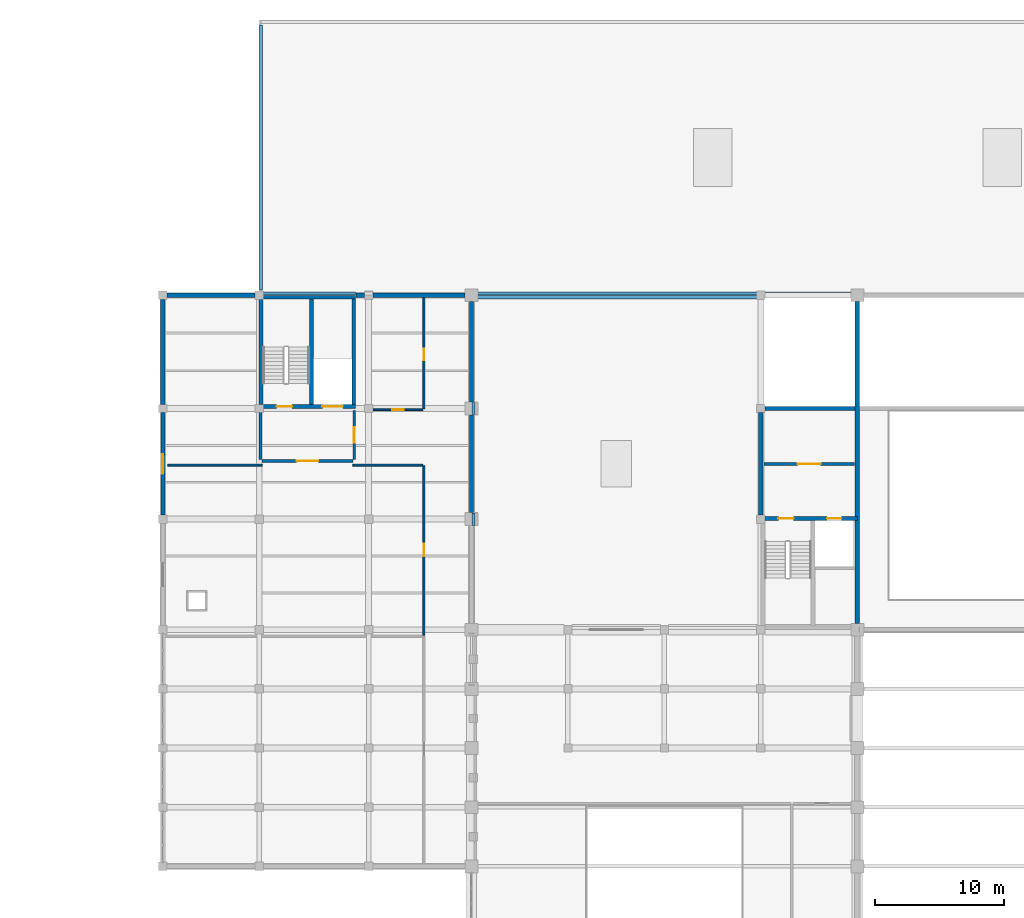
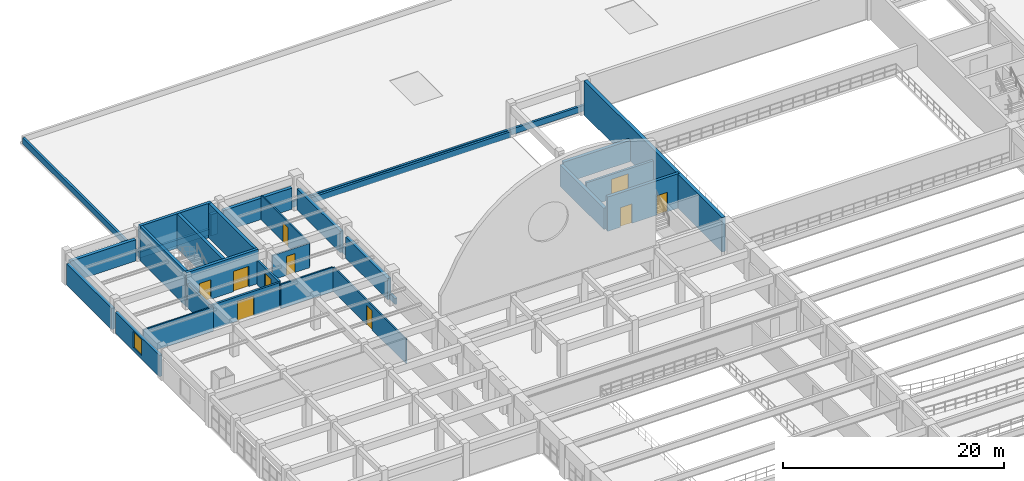
# One storey, part 59 of 74: 31 walls, 10 doors, 1 window, 11 openings.
"""IFC4 building model written with IfcOpenShell, lengths in metres."""

from ifc_helpers import new_model, si_unit, direction, frame, frame_2d, origin, place, context, subcontext, project, spatial, rectangle, extrude, material, layer, layer_set, type_object, element, fill, save


model = new_model("IFC4")

# Units and contexts
model_context = context("Model", 3, precision=1e-05, world=origin(), true_north=direction((0.0, 1.0)))
body_context = subcontext(model_context, "Body", "Model", "MODEL_VIEW")
ifc_project = project(units=[si_unit("LENGTHUNIT", "METRE"), si_unit("AREAUNIT", "SQUARE_METRE"), si_unit("VOLUMEUNIT", "CUBIC_METRE"), si_unit("PLANEANGLEUNIT", "RADIAN"), si_unit("MASSUNIT", "GRAM", prefix="KILO")], contexts=[model_context])

# Site, building, storey
site_placement = place(None, origin())
site = spatial("IfcSite", under=ifc_project, at=site_placement, CompositionType="ELEMENT")
building_placement = place(site_placement, origin())
building = spatial("IfcBuilding", under=site, at=building_placement, Name="Muzn Square Opera House", CompositionType="ELEMENT")
storey_placement = place(building_placement, frame((0.0, 0.0, 14.199951171875)))
storey = spatial("IfcBuildingStorey", under=building, at=storey_placement, Name="L03", CompositionType="ELEMENT", Elevation=14.199951171875)

# Walls
ifc_material_1 = material(Name="Concrete C45/55", Category="concrete")
ifc_layer_1 = layer(ifc_material_1, 0.300048828125, Name="Concrete C45/55", Category="concrete")
ifc_layer_set_1 = layer_set([ifc_layer_1], Name="Concrete C45/55")
wall_type_1 = type_object("IfcWallType", Name="Core Shear Wall 300mm", PredefinedType="SHEAR", material=ifc_layer_set_1)
wall_1_placement = place(storey_placement, frame((26.5, 98.449951171875, 0.0), z_axis=(0.0, 0.0, 1.0), x_axis=(1.0, 0.0, 0.0)))
element("IfcWall", 1, at=wall_1_placement, inside=storey, type_object=wall_type_1, Name="Core C6 Shear Wall SW-C6-L03-N", PredefinedType="SHEAR", context=body_context, shape_type="SweptSolid", body=[
    extrude(rectangle(XDim=7.5, YDim=0.300048828125, at=frame_2d((3.75, 0.0))), origin(), (0.0, 0.0, 1.0), 3.800048828125),
])
for number, where, z_axis, x_axis, name in (
    (2, (26.64990234375, 90.10009765625, 0.0), (0.0, 0.0, 1.0), (0.0, 1.0, 0.0), "Core C6 Shear Wall SW-C6-L03-W"),
    (3, (33.85009765625, 90.10009765625, 0.0), (0.0, 0.0, 1.0), (0.0, 1.0, 0.0), "Core C6 Shear Wall SW-C6-L03-E"),
    (4, (30.550048828125, 90.10009765625, 0.0), (0.0, 0.0, 1.0), (0.0, 1.0, 0.0), "Core C6 Shear Wall SW-C6-L03-DIV"),
):
    element("IfcWall", number, at=place(storey_placement, frame(where, z_axis=z_axis, x_axis=x_axis)), inside=storey, type_object=wall_type_1, Name=name, PredefinedType="SHEAR", context=body_context, shape_type="SweptSolid", body=[
        extrude(rectangle(XDim=8.199951171875, YDim=0.300048828125, at=frame_2d((4.10009765625, 0.0))), origin(), (0.0, 0.0, 1.0), 3.800048828125),
    ])

# Wall, openings, doors
wall_2_placement = place(storey_placement, frame((65.5, 81.25, 0.0), z_axis=(0.0, 0.0, 1.0), x_axis=(1.0, 0.0, 0.0)))
wall_2 = element("IfcWall", 5, at=wall_2_placement, inside=storey, type_object=wall_type_1, Name="Core C1 Front Shear Wall L03", PredefinedType="SHEAR", context=body_context, shape_type="SweptSolid", body=[
    extrude(rectangle(XDim=7.5, YDim=0.300048828125, at=frame_2d((3.75, 0.0))), origin(), (0.0, 0.0, 1.0), 3.800048828125),
])
opening_1_placement = place(wall_2_placement, frame((1.35009765625, 0.0, 0.0)))
opening_1 = element("IfcOpeningElement", 6, at=opening_1_placement, cuts=wall_2, Name="Opening DR-ST12", PredefinedType="OPENING", context=body_context, shape_type="SweptSolid", body=[
    extrude(rectangle(XDim=1.199951171875, YDim=2.14990234375, at=frame_2d((0.60009765625, 1.074951171875))), frame((0.0, 0.159912109375, 0.0), z_axis=(0.0, -1.0, 0.0), x_axis=(1.0, 0.0, 0.0)), (0.0, 0.0, 1.0), 0.320068359375),
])
opening_2_placement = place(wall_2_placement, frame((5.14990234375, 0.0, 0.0)))
opening_2 = element("IfcOpeningElement", 7, at=opening_2_placement, cuts=wall_2, Name="Opening LD-01", PredefinedType="OPENING", context=body_context, shape_type="SweptSolid", body=[
    extrude(rectangle(XDim=1.10009765625, YDim=2.14990234375, at=frame_2d((0.550048828125, 1.074951171875))), frame((0.0, 0.159912109375, 0.0), z_axis=(0.0, -1.0, 0.0), x_axis=(1.0, 0.0, 0.0)), (0.0, 0.0, 1.0), 0.320068359375),
])
ifc_material_2 = material(Name="Galvanised painted steel leaf", Category="metal")
door_type_1 = type_object("IfcDoorType", Name="Core Stair Fire Door 1200x2150", OperationType="NOTDEFINED", PredefinedType="DOOR", material=ifc_material_2)
door_1_placement = place(opening_1_placement, origin())
door_1 = element("IfcDoor", 8, at=door_1_placement, inside=storey, type_object=door_type_1, Name="Core C1 Stair Door L03", OperationType="SINGLE_SWING_LEFT", OverallHeight=2.14990234375, OverallWidth=1.199951171875, PredefinedType="DOOR", context=body_context, shape_type="SweptSolid", body=[
    extrude(rectangle(XDim=1.199951171875, YDim=2.14990234375, at=frame_2d((0.60009765625, 1.074951171875))), frame((0.0, 0.02490234375, 0.0), z_axis=(0.0, -1.0, 0.0), x_axis=(1.0, 0.0, 0.0)), (0.0, 0.0, 1.0), 0.050048828125),
])
fill(opening_1, door_1)
ifc_material_3 = material(Name="Brushed stainless steel", Category="metal")
door_type_2 = type_object("IfcDoorType", Name="Lift Landing Sliding Door 1100x2150", OperationType="SLIDING_TO_LEFT", PredefinedType="DOOR", material=ifc_material_3)
door_2_placement = place(opening_2_placement, origin())
door_2 = element("IfcDoor", 9, at=door_2_placement, inside=storey, type_object=door_type_2, Name="Lift FFL-1 Sliding Landing Door L03", OperationType="SLIDING_TO_LEFT", OverallHeight=2.14990234375, OverallWidth=1.10009765625, PredefinedType="DOOR", context=body_context, shape_type="SweptSolid", body=[
    extrude(rectangle(XDim=1.10009765625, YDim=2.14990234375, at=frame_2d((0.550048828125, 1.074951171875))), frame((0.0, 0.02490234375, 0.0), z_axis=(0.0, -1.0, 0.0), x_axis=(1.0, 0.0, 0.0)), (0.0, 0.0, 1.0), 0.050048828125),
])
fill(opening_2, door_2)

wall_3_placement = place(storey_placement, frame((26.5, 89.949951171875, 0.0), z_axis=(0.0, 0.0, 1.0), x_axis=(1.0, 0.0, 0.0)))
wall_3 = element("IfcWall", 10, at=wall_3_placement, inside=storey, type_object=wall_type_1, Name="Core C6 Front Shear Wall L03", PredefinedType="SHEAR", context=body_context, shape_type="SweptSolid", body=[
    extrude(rectangle(XDim=7.5, YDim=0.300048828125, at=frame_2d((3.75, 0.0))), origin(), (0.0, 0.0, 1.0), 3.800048828125),
])
opening_3_placement = place(wall_3_placement, frame((2.550048828125, 0.0, 0.0), z_axis=(0.0, 0.0, 1.0), x_axis=(-1.0, 0.0, 0.0)))
opening_3 = element("IfcOpeningElement", 11, at=opening_3_placement, cuts=wall_3, Name="Opening DR-ST12", PredefinedType="OPENING", context=body_context, shape_type="SweptSolid", body=[
    extrude(rectangle(XDim=1.199951171875, YDim=2.14990234375, at=frame_2d((0.60009765625, 1.074951171875))), frame((0.0, 0.159912109375, 0.0), z_axis=(0.0, -1.0, 0.0), x_axis=(1.0, 0.0, 0.0)), (0.0, 0.0, 1.0), 0.320068359375),
])
opening_4_placement = place(wall_3_placement, frame((4.89990234375, 0.0, 0.0)))
opening_4 = element("IfcOpeningElement", 12, at=opening_4_placement, cuts=wall_3, Name="Opening LD-02", PredefinedType="OPENING", context=body_context, shape_type="SweptSolid", body=[
    extrude(rectangle(XDim=1.60009765625, YDim=2.25, at=frame_2d((0.800048828125, 1.125))), frame((0.0, 0.159912109375, 0.0), z_axis=(0.0, -1.0, 0.0), x_axis=(1.0, 0.0, 0.0)), (0.0, 0.0, 1.0), 0.320068359375),
])
door_3_placement = place(opening_3_placement, origin())
door_3 = element("IfcDoor", 13, at=door_3_placement, inside=storey, type_object=door_type_1, Name="Core C6 Stair Door L03", OperationType="SINGLE_SWING_RIGHT", OverallHeight=2.14990234375, OverallWidth=1.199951171875, PredefinedType="DOOR", context=body_context, shape_type="SweptSolid", body=[
    extrude(rectangle(XDim=1.199951171875, YDim=2.14990234375, at=frame_2d((0.60009765625, 1.074951171875))), frame((0.0, 0.02490234375, 0.0), z_axis=(0.0, -1.0, 0.0), x_axis=(1.0, 0.0, 0.0)), (0.0, 0.0, 1.0), 0.050048828125),
])
fill(opening_3, door_3)
door_type_3 = type_object("IfcDoorType", Name="Goods Lift Sliding Door 1600x2250", OperationType="SLIDING_TO_LEFT", PredefinedType="DOOR", material=ifc_material_3)
door_4_placement = place(opening_4_placement, origin())
door_4 = element("IfcDoor", 14, at=door_4_placement, inside=storey, type_object=door_type_3, Name="Lift GL-1 Sliding Landing Door L03", OperationType="SLIDING_TO_LEFT", OverallHeight=2.25, OverallWidth=1.60009765625, PredefinedType="DOOR", context=body_context, shape_type="SweptSolid", body=[
    extrude(rectangle(XDim=1.60009765625, YDim=2.25, at=frame_2d((0.800048828125, 1.125))), frame((0.0, 0.02490234375, 0.0), z_axis=(0.0, -1.0, 0.0), x_axis=(1.0, 0.0, 0.0)), (0.0, 0.0, 1.0), 0.050048828125),
])
fill(opening_4, door_4)

# Wall, opening, window
ifc_material_4 = material(Name="Concrete C40/50", Category="concrete")
ifc_layer_2 = layer(ifc_material_4, 0.31005859375, Name="Concrete C40/50", Category="concrete")
ifc_layer_set_2 = layer_set([ifc_layer_2], Name="Concrete C40/50")
wall_type_2 = type_object("IfcWallType", Name="Exterior Gallery Facade Wall 310mm", PredefinedType="SOLIDWALL", material=ifc_layer_set_2)
wall_4_placement = place(storey_placement, frame((19.0, 81.52490234375, 0.0), z_axis=(0.0, 0.0, 1.0), x_axis=(0.0, 1.0, 0.0)))
wall_4 = element("IfcWall", 15, at=wall_4_placement, inside=storey, type_object=wall_type_2, Name="Exterior Facade Wall EW-L03-084", PredefinedType="SOLIDWALL", context=body_context, shape_type="SweptSolid", body=[
    extrude(rectangle(XDim=7.9501953125, YDim=0.31005859375, at=frame_2d((3.97509765625, 0.0))), origin(), (0.0, 0.0, 1.0), 2.35009765625),
])
opening_5_placement = place(wall_4_placement, frame((3.205078125, 0.0, 0.3701171875)))
opening_5 = element("IfcOpeningElement", 16, at=opening_5_placement, cuts=wall_4, Name="Opening WN-O1518", PredefinedType="OPENING", context=body_context, shape_type="SweptSolid", body=[
    extrude(rectangle(XDim=1.5, YDim=1.800048828125, at=frame_2d((0.75, 0.89990234375))), frame((0.0, 0.1650390625, 0.0), z_axis=(0.0, -1.0, 0.0), x_axis=(1.0, 0.0, 0.0)), (0.0, 0.0, 1.0), 0.330078125),
])
ifc_material_5 = material(Name="Low-E laminated acoustic double glazing", Category="glass")
window_type = type_object("IfcWindowType", Name="Admin Corner Window 1500x1800", PartitioningType="SINGLE_PANEL", PredefinedType="WINDOW", material=ifc_material_5)
window_placement = place(opening_5_placement, origin())
window = element("IfcWindow", 17, at=window_placement, inside=storey, type_object=window_type, Name="Admin Corner Window 1500x1800 EW-L03-084-WN01", OverallHeight=1.800048828125, OverallWidth=1.5, PartitioningType="SINGLE_PANEL", PredefinedType="WINDOW", context=body_context, shape_type="SweptSolid", body=[
    extrude(rectangle(XDim=1.5, YDim=1.800048828125, at=frame_2d((0.75, 0.89990234375))), frame((0.0, 0.030029296875, 0.0), z_axis=(0.0, -1.0, 0.0), x_axis=(1.0, 0.0, 0.0)), (0.0, 0.0, 1.0), 0.06005859375),
])
fill(opening_5, window)

# Walls
ifc_layer_3 = layer(ifc_material_4, 0.340087890625, Name="Concrete C40/50", Category="concrete")
ifc_layer_set_3 = layer_set([ifc_layer_3], Name="Concrete C40/50")
wall_type_3 = type_object("IfcWallType", Name="Exterior Insulated Spandrel Wall 340mm", PredefinedType="SOLIDWALL", material=ifc_layer_set_3)
wall_5_placement = place(storey_placement, frame((19.0, 90.125, 0.0), z_axis=(0.0, 0.0, 1.0), x_axis=(0.0, 1.0, 0.0)))
element("IfcWall", 18, at=wall_5_placement, inside=storey, type_object=wall_type_3, Name="Exterior Facade Wall EW-L03-222", PredefinedType="SOLIDWALL", context=body_context, shape_type="SweptSolid", body=[
    extrude(rectangle(XDim=8.14990234375, YDim=0.340087890625, at=frame_2d((4.074951171875, 0.0))), origin(), (0.0, 0.0, 1.0), 2.35009765625),
])
wall_6_placement = place(storey_placement, frame((19.324951171875, 98.60009765625, 0.0), z_axis=(0.0, 0.0, 1.0), x_axis=(1.0, 0.0, 0.0)))
element("IfcWall", 19, at=wall_6_placement, inside=storey, type_object=wall_type_3, Name="Exterior Facade Wall EW-L03-223", PredefinedType="SOLIDWALL", context=body_context, shape_type="SweptSolid", body=[
    extrude(rectangle(XDim=6.85009765625, YDim=0.340087890625, at=frame_2d((3.425048828125, 0.0))), origin(), (0.0, 0.0, 1.0), 2.35009765625),
])
wall_7_placement = place(storey_placement, frame((35.324951171875, 98.60009765625, 0.0), z_axis=(0.0, 0.0, 1.0), x_axis=(1.0, 0.0, 0.0)))
element("IfcWall", 20, at=wall_7_placement, inside=storey, type_object=wall_type_3, Name="Exterior Facade Wall EW-L03-225", PredefinedType="SOLIDWALL", context=body_context, shape_type="SweptSolid", body=[
    extrude(rectangle(XDim=7.175048828125, YDim=0.340087890625, at=frame_2d((3.58740234375, 0.0))), origin(), (0.0, 0.0, 1.0), 2.35009765625),
])
wall_8_placement = place(storey_placement, frame((43.0, 81.699951171875, 0.0), z_axis=(0.0, 0.0, 1.0), x_axis=(0.0, 1.0, 0.0)))
element("IfcWall", 21, at=wall_8_placement, inside=storey, type_object=wall_type_3, Name="Exterior Facade Wall EW-L03-227", PredefinedType="SOLIDWALL", context=body_context, shape_type="SweptSolid", body=[
    extrude(rectangle(XDim=7.60009765625, YDim=0.340087890625, at=frame_2d((3.800048828125, 0.0))), origin(), (0.0, 0.0, 1.0), 2.35009765625),
])
wall_9_placement = place(storey_placement, frame((43.0, 90.300048828125, 0.0), z_axis=(0.0, 0.0, 1.0), x_axis=(0.0, 1.0, 0.0)))
element("IfcWall", 22, at=wall_9_placement, inside=storey, type_object=wall_type_3, Name="Exterior Facade Wall EW-L03-228", PredefinedType="SOLIDWALL", context=body_context, shape_type="SweptSolid", body=[
    extrude(rectangle(XDim=7.800048828125, YDim=0.340087890625, at=frame_2d((3.89990234375, 0.0))), origin(), (0.0, 0.0, 1.0), 2.35009765625),
])
wall_10_placement = place(storey_placement, frame((65.5, 81.52490234375, 0.0), z_axis=(0.0, 0.0, 1.0), x_axis=(0.0, 1.0, 0.0)))
element("IfcWall", 23, at=wall_10_placement, inside=storey, type_object=wall_type_3, Name="Exterior Facade Wall EW-L03-229", PredefinedType="SOLIDWALL", context=body_context, shape_type="SweptSolid", body=[
    extrude(rectangle(XDim=7.9501953125, YDim=0.340087890625, at=frame_2d((3.97509765625, 0.0))), origin(), (0.0, 0.0, 1.0), 2.35009765625),
])
wall_11_placement = place(storey_placement, frame((65.824951171875, 89.800048828125, 0.0), z_axis=(0.0, 0.0, 1.0), x_axis=(1.0, 0.0, 0.0)))
element("IfcWall", 24, at=wall_11_placement, inside=storey, type_object=wall_type_3, Name="Exterior Facade Wall EW-L03-230", PredefinedType="SOLIDWALL", context=body_context, shape_type="SweptSolid", body=[
    extrude(rectangle(XDim=7.0, YDim=0.340087890625, at=frame_2d((3.5, 0.0))), origin(), (0.0, 0.0, 1.0), 2.35009765625),
])
wall_12_placement = place(storey_placement, frame((34.02001953125, 98.60009765625, 0.0), z_axis=(0.0, 0.0, 1.0), x_axis=(1.0, 0.0, 0.0)))
element("IfcWall", 25, at=wall_12_placement, inside=storey, type_object=wall_type_3, Name="Exterior Facade Wall EW-L03-224", PredefinedType="SOLIDWALL", context=body_context, shape_type="SweptSolid", body=[
    extrude(rectangle(XDim=0.655029296875, YDim=0.340087890625, at=frame_2d((0.32763671875, 0.0))), origin(), (0.0, 0.0, 1.0), 2.35009765625),
])

# Wall, opening, door
ifc_layer_4 = layer(ifc_material_4, 0.239990234375, Name="Concrete C40/50", Category="concrete")
ifc_layer_set_4 = layer_set([ifc_layer_4], Name="Concrete C40/50")
wall_type_4 = type_object("IfcWallType", Name="Firefighting Lobby Wall 240mm", PredefinedType="SOLIDWALL", material=ifc_layer_set_4)
wall_13_placement = place(storey_placement, frame((65.739990234375, 85.47998046875, 0.0), z_axis=(0.0, 0.0, 1.0), x_axis=(1.0, 0.0, 0.0)))
wall_13 = element("IfcWall", 26, at=wall_13_placement, inside=storey, type_object=wall_type_4, Name="Lobby C1 Enclosure Wall L03", PredefinedType="SOLIDWALL", context=body_context, shape_type="SweptSolid", body=[
    extrude(rectangle(XDim=7.02001953125, YDim=0.239990234375, at=frame_2d((3.510009765625, 0.0))), origin(), (0.0, 0.0, 1.0), 2.699951171875),
])
opening_6_placement = place(wall_13_placement, frame((2.610107421875, 0.0, 0.0)))
opening_6 = element("IfcOpeningElement", 27, at=opening_6_placement, cuts=wall_13, Name="Opening DR-FL18", PredefinedType="OPENING", context=body_context, shape_type="SweptSolid", body=[
    extrude(rectangle(XDim=1.800048828125, YDim=2.179931640625, at=frame_2d((0.89990234375, 1.08984375))), frame((0.0, 0.1298828125, 0.0), z_axis=(0.0, -1.0, 0.0), x_axis=(1.0, 0.0, 0.0)), (0.0, 0.0, 1.0), 0.260009765625),
])
door_type_4 = type_object("IfcDoorType", Name="Firefighting Lobby Double Door 1800x2180", OperationType="DOUBLE_DOOR_SINGLE_SWING", PredefinedType="DOOR", material=ifc_material_2)
door_5_placement = place(opening_6_placement, origin())
door_5 = element("IfcDoor", 28, at=door_5_placement, inside=storey, type_object=door_type_4, Name="Lobby C1 Fire Door L03", OperationType="DOUBLE_DOOR_SINGLE_SWING", OverallHeight=2.179931640625, OverallWidth=1.800048828125, PredefinedType="DOOR", context=body_context, shape_type="SweptSolid", body=[
    extrude(rectangle(XDim=1.800048828125, YDim=2.179931640625, at=frame_2d((0.89990234375, 1.08984375))), frame((0.0, 0.02490234375, 0.0), z_axis=(0.0, -1.0, 0.0), x_axis=(1.0, 0.0, 0.0)), (0.0, 0.0, 1.0), 0.050048828125),
])
fill(opening_6, door_5)

# Wall
ifc_layer_5 = layer(ifc_material_1, 0.35009765625, Name="Concrete C45/55", Category="concrete")
ifc_layer_set_5 = layer_set([ifc_layer_5], Name="Concrete C45/55")
wall_type_5 = type_object("IfcWallType", Name="Fly Tower Shear Wall 350mm", PredefinedType="SHEAR", material=ifc_layer_set_5)
wall_14_placement = place(storey_placement, frame((73.0, 73.090087890625, 0.0), z_axis=(0.0, 0.0, 1.0), x_axis=(0.0, 1.0, 0.0)))
element("IfcWall", 29, at=wall_14_placement, inside=storey, type_object=wall_type_5, Name="Fly Tower Shear Wall FTW-L03-W", PredefinedType="SHEAR", context=body_context, shape_type="SweptSolid", body=[
    extrude(rectangle(XDim=25.02001953125, YDim=0.35009765625, at=frame_2d((12.510009765625, 0.0))), origin(), (0.0, 0.0, 1.0), 3.800048828125),
])

# Wall, opening, door
ifc_layer_6 = layer(ifc_material_4, 0.219970703125, Name="Concrete C40/50", Category="concrete")
ifc_layer_set_6 = layer_set([ifc_layer_6], Name="Concrete C40/50")
wall_type_6 = type_object("IfcWallType", Name="Lift Lobby Wall 220mm", PredefinedType="SOLIDWALL", material=ifc_layer_set_6)
wall_15_placement = place(storey_placement, frame((26.719970703125, 85.7099609375, 0.0), z_axis=(0.0, 0.0, 1.0), x_axis=(1.0, 0.0, 0.0)))
wall_15 = element("IfcWall", 30, at=wall_15_placement, inside=storey, type_object=wall_type_6, Name="Lobby C6 Enclosure Wall L03", PredefinedType="SOLIDWALL", context=body_context, shape_type="SweptSolid", body=[
    extrude(rectangle(XDim=7.06005859375, YDim=0.219970703125, at=frame_2d((3.530029296875, 0.0))), origin(), (0.0, 0.0, 1.0), 2.699951171875),
])
opening_7_placement = place(wall_15_placement, frame((4.3798828125, 0.0, 0.0), z_axis=(0.0, 0.0, 1.0), x_axis=(-1.0, 0.0, 0.0)))
opening_7 = element("IfcOpeningElement", 31, at=opening_7_placement, cuts=wall_15, Name="Opening DR-LL17", PredefinedType="OPENING", context=body_context, shape_type="SweptSolid", body=[
    extrude(rectangle(XDim=1.699951171875, YDim=2.179931640625, at=frame_2d((0.85009765625, 1.08984375))), frame((0.0, 0.119873046875, 0.0), z_axis=(0.0, -1.0, 0.0), x_axis=(1.0, 0.0, 0.0)), (0.0, 0.0, 1.0), 0.239990234375),
])
ifc_material_6 = material(Name="Acoustic hardwood leaf", Category="wood")
door_type_5 = type_object("IfcDoorType", Name="Lift Lobby Double Door 1700x2180", OperationType="DOUBLE_DOOR_SINGLE_SWING", PredefinedType="DOOR", material=ifc_material_6)
door_6_placement = place(opening_7_placement, origin())
door_6 = element("IfcDoor", 32, at=door_6_placement, inside=storey, type_object=door_type_5, Name="Lobby C6 Fire Door L03", OperationType="DOUBLE_DOOR_SINGLE_SWING", OverallHeight=2.179931640625, OverallWidth=1.699951171875, PredefinedType="DOOR", context=body_context, shape_type="SweptSolid", body=[
    extrude(rectangle(XDim=1.699951171875, YDim=2.179931640625, at=frame_2d((0.85009765625, 1.08984375))), frame((0.0, 0.02490234375, 0.0), z_axis=(0.0, -1.0, 0.0), x_axis=(1.0, 0.0, 0.0)), (0.0, 0.0, 1.0), 0.050048828125),
])
fill(opening_7, door_6)

# Wall
wall_16_placement = place(storey_placement, frame((26.610107421875, 85.820068359375, 0.0), z_axis=(0.0, 0.0, 1.0), x_axis=(0.0, 1.0, 0.0)))
element("IfcWall", 33, at=wall_16_placement, inside=storey, type_object=wall_type_6, Name="Lobby C6 Side Wall W L03", PredefinedType="SOLIDWALL", context=body_context, shape_type="SweptSolid", body=[
    extrude(rectangle(XDim=3.829833984375, YDim=0.219970703125, at=frame_2d((1.9150390625, 0.0))), origin(), (0.0, 0.0, 1.0), 2.699951171875),
])

# Wall, opening, door
wall_17_placement = place(storey_placement, frame((33.889892578125, 85.820068359375, 0.0), z_axis=(0.0, 0.0, 1.0), x_axis=(0.0, 1.0, 0.0)))
wall_17 = element("IfcWall", 34, at=wall_17_placement, inside=storey, type_object=wall_type_6, Name="Lobby C6 Side Wall E L03", PredefinedType="SOLIDWALL", context=body_context, shape_type="SweptSolid", body=[
    extrude(rectangle(XDim=3.829833984375, YDim=0.219970703125, at=frame_2d((1.9150390625, 0.0))), origin(), (0.0, 0.0, 1.0), 2.699951171875),
])
opening_8_placement = place(wall_17_placement, frame((2.514892578125, 0.0, 0.0), z_axis=(0.0, 0.0, 1.0), x_axis=(-1.0, 0.0, 0.0)))
opening_8 = element("IfcOpeningElement", 35, at=opening_8_placement, cuts=wall_17, Name="Opening DR-ST12", PredefinedType="OPENING", context=body_context, shape_type="SweptSolid", body=[
    extrude(rectangle(XDim=1.199951171875, YDim=2.14990234375, at=frame_2d((0.60009765625, 1.074951171875))), frame((0.0, 0.119873046875, 0.0), z_axis=(0.0, -1.0, 0.0), x_axis=(1.0, 0.0, 0.0)), (0.0, 0.0, 1.0), 0.239990234375),
])
door_7_placement = place(opening_8_placement, origin())
door_7 = element("IfcDoor", 36, at=door_7_placement, inside=storey, type_object=door_type_1, Name="Lobby C6 Side Door E L03", OperationType="SINGLE_SWING_LEFT", OverallHeight=2.14990234375, OverallWidth=1.199951171875, PredefinedType="DOOR", context=body_context, shape_type="SweptSolid", body=[
    extrude(rectangle(XDim=1.199951171875, YDim=2.14990234375, at=frame_2d((0.60009765625, 1.074951171875))), frame((0.0, 0.02490234375, 0.0), z_axis=(0.0, -1.0, 0.0), x_axis=(1.0, 0.0, 0.0)), (0.0, 0.0, 1.0), 0.050048828125),
])
fill(opening_8, door_7)

ifc_material_7 = material(Name="Acoustic gypsum stud partition", Category="gypsum")
ifc_layer_7 = layer(ifc_material_7, 0.14990234375, Name="Acoustic gypsum stud partition", Category="gypsum")
ifc_layer_set_7 = layer_set([ifc_layer_7], Name="Acoustic gypsum stud partition")
wall_type_7 = type_object("IfcWallType", Name="Office Acoustic Partition 150mm", PredefinedType="PARTITIONING", material=ifc_layer_set_7)
wall_18_placement = place(storey_placement, frame((39.300048828125, 72.179931640625, 0.0), z_axis=(0.0, 0.0, 1.0), x_axis=(0.0, 1.0, 0.0)))
wall_18 = element("IfcWall", 37, at=wall_18_placement, inside=storey, type_object=wall_type_7, Name="Interior Partition PW-L03-0368", PredefinedType="PARTITIONING", context=body_context, shape_type="SweptSolid", body=[
    extrude(rectangle(XDim=13.16015625, YDim=0.14990234375, at=frame_2d((6.580078125, 0.0))), origin(), (0.0, 0.0, 1.0), 2.699951171875),
])
opening_9_placement = place(wall_18_placement, frame((6.14501953125, 0.0, 0.0)))
opening_9 = element("IfcOpeningElement", 38, at=opening_9_placement, cuts=wall_18, Name="Opening DR-OF95", PredefinedType="OPENING", context=body_context, shape_type="SweptSolid", body=[
    extrude(rectangle(XDim=0.949951171875, YDim=2.14990234375, at=frame_2d((0.47509765625, 1.074951171875))), frame((0.0, 0.0849609375, 0.0), z_axis=(0.0, -1.0, 0.0), x_axis=(1.0, 0.0, 0.0)), (0.0, 0.0, 1.0), 0.169921875),
])
door_type_6 = type_object("IfcDoorType", Name="Office Room Door 950x2150", OperationType="NOTDEFINED", PredefinedType="DOOR", material=ifc_material_6)
door_8_placement = place(opening_9_placement, origin())
door_8 = element("IfcDoor", 39, at=door_8_placement, inside=storey, type_object=door_type_6, Name="Artistic Director and Dramaturgy Office Door DR-L03-0109", OperationType="SINGLE_SWING_RIGHT", OverallHeight=2.14990234375, OverallWidth=0.949951171875, PredefinedType="DOOR", context=body_context, shape_type="SweptSolid", body=[
    extrude(rectangle(XDim=0.949951171875, YDim=2.14990234375, at=frame_2d((0.47509765625, 1.074951171875))), frame((0.0, 0.02490234375, 0.0), z_axis=(0.0, -1.0, 0.0), x_axis=(1.0, 0.0, 0.0)), (0.0, 0.0, 1.0), 0.050048828125),
])
fill(opening_9, door_8)

# Walls
wall_19_placement = place(storey_placement, frame((19.39990234375, 85.39990234375, 0.0), z_axis=(0.0, 0.0, 1.0), x_axis=(1.0, 0.0, 0.0)))
element("IfcWall", 40, at=wall_19_placement, inside=storey, type_object=wall_type_7, Name="Room Enclosure Partition PW-L03-0386", PredefinedType="PARTITIONING", context=body_context, shape_type="SweptSolid", body=[
    extrude(rectangle(XDim=7.320068359375, YDim=0.14990234375, at=frame_2d((3.66015625, 0.0))), origin(), (0.0, 0.0, 1.0), 2.699951171875),
])
wall_20_placement = place(storey_placement, frame((33.780029296875, 85.39990234375, 0.0), z_axis=(0.0, 0.0, 1.0), x_axis=(1.0, 0.0, 0.0)))
element("IfcWall", 41, at=wall_20_placement, inside=storey, type_object=wall_type_7, Name="Room Enclosure Partition PW-L03-0387", PredefinedType="PARTITIONING", context=body_context, shape_type="SweptSolid", body=[
    extrude(rectangle(XDim=5.419921875, YDim=0.14990234375, at=frame_2d((2.7099609375, 0.0))), origin(), (0.0, 0.0, 1.0), 2.699951171875),
])
ifc_material_8 = material(Name="Precast concrete C40/50", Category="concrete")
ifc_layer_8 = layer(ifc_material_8, 0.239990234375, Name="Precast concrete C40/50", Category="concrete")
ifc_layer_set_8 = layer_set([ifc_layer_8], Name="Precast concrete C40/50")
wall_type_8 = type_object("IfcWallType", Name="Roof Parapet Wall 240mm", PredefinedType="PARAPET", material=ifc_layer_set_8)
wall_21_placement = place(storey_placement, frame((43.14990234375, 98.449951171875, 0.0), z_axis=(0.0, 0.0, 1.0), x_axis=(1.0, 0.0, 0.0)))
element("IfcWall", 42, at=wall_21_placement, inside=storey, type_object=wall_type_8, Name="Roof Parapet ROOF-L03-SIDEW-N", PredefinedType="PARAPET", context=body_context, shape_type="SweptSolid", body=[
    extrude(rectangle(XDim=22.2001953125, YDim=0.239990234375, at=frame_2d((11.10009765625, 0.0))), origin(), (0.0, 0.0, 1.0), 0.650146484375),
])
wall_22_placement = place(storey_placement, frame((26.64990234375, 99.0, 0.0), z_axis=(0.0, 0.0, 1.0), x_axis=(0.0, 1.0, 0.0)))
element("IfcWall", 43, at=wall_22_placement, inside=storey, type_object=wall_type_8, Name="Roof Parapet ROOF-L03-REAR-W", PredefinedType="PARAPET", context=body_context, shape_type="SweptSolid", body=[
    extrude(rectangle(XDim=20.60009765625, YDim=0.239990234375, at=frame_2d((10.300048828125, 0.0))), origin(), (0.0, 0.0, 1.0), 0.650146484375),
])
wall_23_placement = place(storey_placement, frame((26.64990234375, 98.75, 0.0), z_axis=(0.0, 0.0, 1.0), x_axis=(1.0, 0.0, 0.0)))
element("IfcWall", 44, at=wall_23_placement, inside=storey, type_object=wall_type_8, Name="Roof Parapet ROOF-L03-REAR-S", PredefinedType="PARAPET", context=body_context, shape_type="SweptSolid", body=[
    extrude(rectangle(XDim=7.35009765625, YDim=0.239990234375, at=frame_2d((3.675048828125, 0.0))), origin(), (0.0, 0.0, 1.0), 0.650146484375),
])
wall_24_placement = place(storey_placement, frame((42.52001953125, 98.75, 0.0), z_axis=(0.0, 0.0, 1.0), x_axis=(1.0, 0.0, 0.0)))
element("IfcWall", 45, at=wall_24_placement, inside=storey, type_object=wall_type_8, Name="Roof Parapet ROOF-L03-REAR-S", PredefinedType="PARAPET", context=body_context, shape_type="SweptSolid", body=[
    extrude(rectangle(XDim=30.949951171875, YDim=0.239990234375, at=frame_2d((15.47509765625, 0.0))), origin(), (0.0, 0.0, 1.0), 0.650146484375),
])
for number, where, z_axis, x_axis, name in (
    (46, (43.14990234375, 80.719970703125, 0.0), (0.0, 0.0, 1.0), (0.0, 1.0, 0.0), "Roof Parapet ROOF-L03-SIDEW-W"),
    (47, (43.14990234375, 89.320068359375, 0.0), (0.0, 0.0, 1.0), (0.0, 1.0, 0.0), "Roof Parapet ROOF-L03-SIDEW-W"),
):
    element("IfcWall", number, at=place(storey_placement, frame(where, z_axis=z_axis, x_axis=x_axis)), inside=storey, type_object=wall_type_8, Name=name, PredefinedType="PARAPET", context=body_context, shape_type="SweptSolid", body=[
        extrude(rectangle(XDim=0.9599609375, YDim=0.239990234375, at=frame_2d((0.47998046875, 0.0))), origin(), (0.0, 0.0, 1.0), 0.650146484375),
    ])

# Wall, opening, door
ifc_layer_9 = layer(ifc_material_7, 0.139892578125, Name="Acoustic gypsum stud partition", Category="gypsum")
ifc_layer_set_9 = layer_set([ifc_layer_9], Name="Acoustic gypsum stud partition")
wall_type_9 = type_object("IfcWallType", Name="Wet Room Tile Partition 140mm", PredefinedType="PARTITIONING", material=ifc_layer_set_9)
wall_25_placement = place(storey_placement, frame((39.300048828125, 89.77490234375, 0.0), z_axis=(0.0, 0.0, 1.0), x_axis=(0.0, 1.0, 0.0)))
wall_25 = element("IfcWall", 48, at=wall_25_placement, inside=storey, type_object=wall_type_9, Name="Interior Partition PW-L03-0369", PredefinedType="PARTITIONING", context=body_context, shape_type="SweptSolid", body=[
    extrude(rectangle(XDim=8.650146484375, YDim=0.139892578125, at=frame_2d((4.3251953125, 0.0))), origin(), (0.0, 0.0, 1.0), 2.699951171875),
])
opening_10_placement = place(wall_25_placement, frame((3.77490234375, 0.0, 0.0)))
opening_10 = element("IfcOpeningElement", 49, at=opening_10_placement, cuts=wall_25, Name="Opening DR-WC90", PredefinedType="OPENING", context=body_context, shape_type="SweptSolid", body=[
    extrude(rectangle(XDim=0.89990234375, YDim=2.10009765625, at=frame_2d((0.449951171875, 1.050048828125))), frame((0.0, 0.079833984375, 0.0), z_axis=(0.0, -1.0, 0.0), x_axis=(1.0, 0.0, 0.0)), (0.0, 0.0, 1.0), 0.159912109375),
])
door_type_7 = type_object("IfcDoorType", Name="Public WC Lobby Door 900x2100", OperationType="NOTDEFINED", PredefinedType="DOOR", material=ifc_material_6)
door_9_placement = place(opening_10_placement, origin())
door_9 = element("IfcDoor", 50, at=door_9_placement, inside=storey, type_object=door_type_7, Name="Administration Staff WC Door DR-L03-0110", OperationType="SINGLE_SWING_LEFT", OverallHeight=2.10009765625, OverallWidth=0.89990234375, PredefinedType="DOOR", context=body_context, shape_type="SweptSolid", body=[
    extrude(rectangle(XDim=0.89990234375, YDim=2.10009765625, at=frame_2d((0.449951171875, 1.050048828125))), frame((0.0, 0.02490234375, 0.0), z_axis=(0.0, -1.0, 0.0), x_axis=(1.0, 0.0, 0.0)), (0.0, 0.0, 1.0), 0.050048828125),
])
fill(opening_10, door_9)

wall_26_placement = place(storey_placement, frame((35.344970703125, 89.699951171875, 0.0), z_axis=(0.0, 0.0, 1.0), x_axis=(1.0, 0.0, 0.0)))
wall_26 = element("IfcWall", 51, at=wall_26_placement, inside=storey, type_object=wall_type_9, Name="Interior Partition PW-L03-0370", PredefinedType="PARTITIONING", context=body_context, shape_type="SweptSolid", body=[
    extrude(rectangle(XDim=3.880126953125, YDim=0.139892578125, at=frame_2d((1.93994140625, 0.0))), origin(), (0.0, 0.0, 1.0), 2.699951171875),
])
opening_11_placement = place(wall_26_placement, frame((1.4775390625, 0.0, 0.0)))
opening_11 = element("IfcOpeningElement", 52, at=opening_11_placement, cuts=wall_26, Name="Opening DR-WC90", PredefinedType="OPENING", context=body_context, shape_type="SweptSolid", body=[
    extrude(rectangle(XDim=0.89990234375, YDim=2.10009765625, at=frame_2d((0.449951171875, 1.050048828125))), frame((0.0, 0.079833984375, 0.0), z_axis=(0.0, -1.0, 0.0), x_axis=(1.0, 0.0, 0.0)), (0.0, 0.0, 1.0), 0.159912109375),
])
door_10_placement = place(opening_11_placement, origin())
door_10 = element("IfcDoor", 53, at=door_10_placement, inside=storey, type_object=door_type_7, Name="Administration Staff WC Door DR-L03-0111", OperationType="SINGLE_SWING_RIGHT", OverallHeight=2.10009765625, OverallWidth=0.89990234375, PredefinedType="DOOR", context=body_context, shape_type="SweptSolid", body=[
    extrude(rectangle(XDim=0.89990234375, YDim=2.10009765625, at=frame_2d((0.449951171875, 1.050048828125))), frame((0.0, 0.02490234375, 0.0), z_axis=(0.0, -1.0, 0.0), x_axis=(1.0, 0.0, 0.0)), (0.0, 0.0, 1.0), 0.050048828125),
])
fill(opening_11, door_10)

save(model, "model.ifc")
